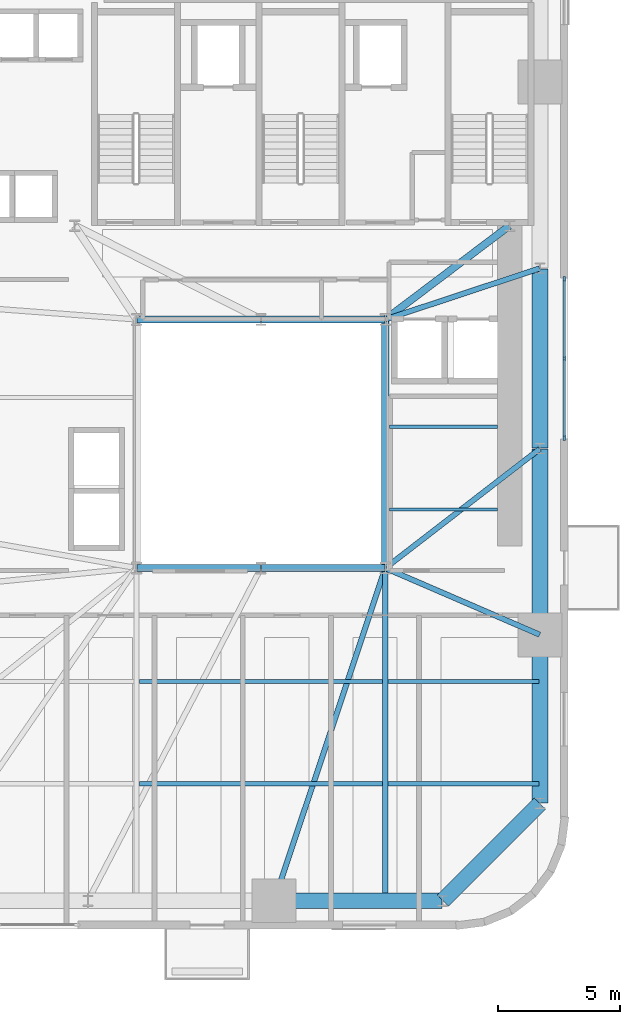
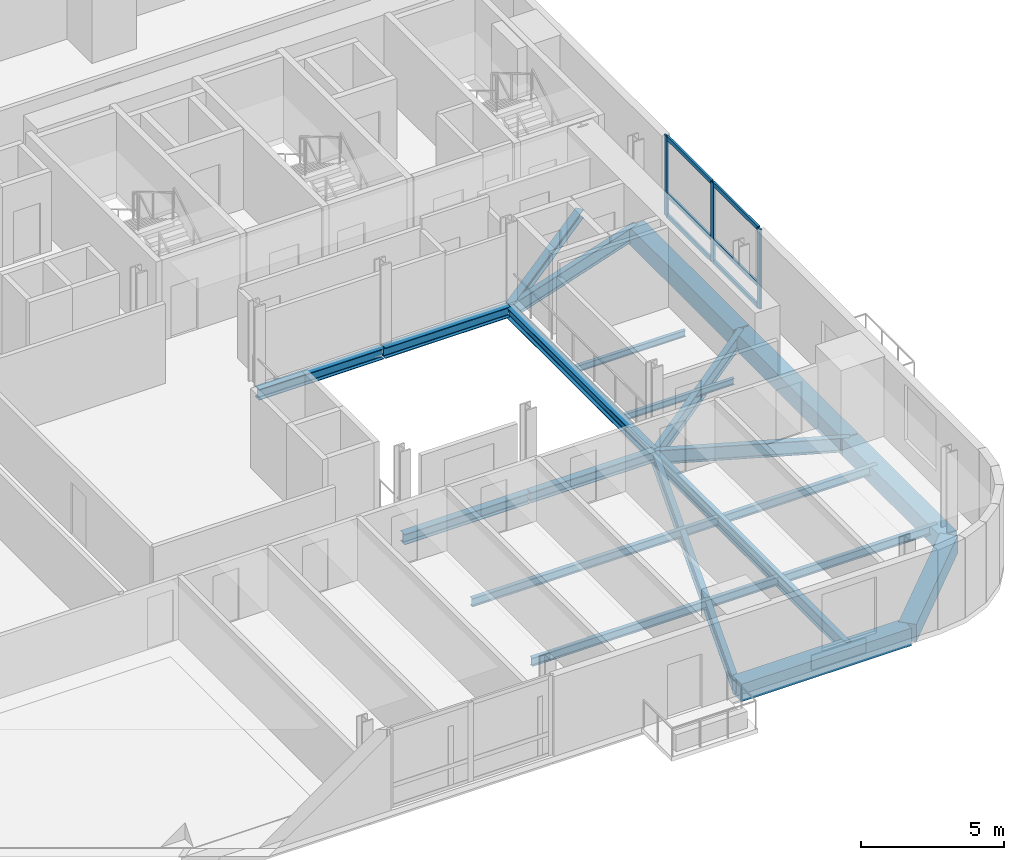
# One storey, part 3 of 12: 22 beams, 9 members, 1 element without a shape of its own.
"""IFC4 building model written with IfcOpenShell, lengths in metres."""

import ifcopenshell
import ifcopenshell.guid

model = None  # the IFC model being written
_history = None  # IfcOwnerHistory: only IFC2X3 demands one
_inside = {}  # id of a spatial element -> (the spatial element, [elements in it])
_under = {}  # id of a project, library or spatial element -> (it, [spatial elements below it])
_declared = {}  # id of a project -> (the project, [libraries it declares])
_typed = {}  # id of a type object -> (the type object, [elements of that type])
_made_of = {}  # id of a material, layer set ... -> (it, [elements and type objects made of it])


def new_model(schema):
    """Start an empty IFC model of exactly this schema.

    Asked for "IFC4X3", IfcOpenShell would pick the latest addendum, in which some entities
    have other attributes; the version numbers below select the first issue.
    IFC2X3 requires an IfcOwnerHistory on every rooted entity: one is made here for all.
    """
    global model, _history
    if schema == "IFC4X3":
        model = ifcopenshell.file(schema_version=(4, 3, 0, 0))
    else:
        model = ifcopenshell.file(schema=schema)
    _inside.clear()
    _under.clear()
    _declared.clear()
    _typed.clear()
    _made_of.clear()
    _history = None
    if model.schema == "IFC2X3":
        org = make("IfcOrganization", Name="unknown")
        user = make(
            "IfcPersonAndOrganization",
            ThePerson=make("IfcPerson", FamilyName="unknown"),
            TheOrganization=org,
        )
        app = make(
            "IfcApplication",
            ApplicationDeveloper=org,
            Version="unknown",
            ApplicationFullName="unknown",
            ApplicationIdentifier="unknown",
        )
        _history = make(
            "IfcOwnerHistory",
            OwningUser=user,
            OwningApplication=app,
            ChangeAction="ADDED",
            CreationDate=0,
        )
    return model


def make(cls, **values):
    """One entity of the class cls with the attributes given. An attribute that is None is left unset."""
    return model.create_entity(
        cls, **{name: value for name, value in values.items() if value is not None}
    )


def rooted(cls, **values):
    """An entity with a GlobalId (a new one), such as an element, a storey or a relation."""
    return make(cls, GlobalId=ifcopenshell.guid.new(), OwnerHistory=_history, **values)


def si_unit(unit_type, name, prefix=None):
    """IfcSIUnit, for example si_unit("LENGTHUNIT", "METRE", prefix="MILLI")."""
    return make("IfcSIUnit", UnitType=unit_type, Prefix=prefix, Name=name)


def assignment(units):
    """IfcUnitAssignment: the units of a project."""
    return None if units is None else make("IfcUnitAssignment", Units=units)


def point(xyz):
    """IfcCartesianPoint."""
    return None if xyz is None else make("IfcCartesianPoint", Coordinates=xyz)


def direction(xyz):
    """IfcDirection."""
    return None if xyz is None else make("IfcDirection", DirectionRatios=xyz)


def frame(location, z_axis=None, x_axis=None):
    """IfcAxis2Placement3D, a coordinate frame: its origin and axes. An axis left out is left unset."""
    return make(
        "IfcAxis2Placement3D",
        Location=point(location),
        Axis=direction(z_axis),
        RefDirection=direction(x_axis),
    )


def frame_2d(location, x_axis=None):
    """IfcAxis2Placement2D, a coordinate frame in the plane: its origin and x axis."""
    return make(
        "IfcAxis2Placement2D", Location=point(location), RefDirection=direction(x_axis)
    )


def origin():
    """The frame at (0, 0, 0) with its axes left unset."""
    return frame((0.0, 0.0, 0.0))


def origin_2d():
    """The frame at (0, 0) in the plane with its x axis left unset."""
    return frame_2d((0.0, 0.0))


def place(relative_to, where):
    """IfcLocalPlacement: puts the frame where relative to a parent placement (None: the world)."""
    return make(
        "IfcLocalPlacement", PlacementRelTo=relative_to, RelativePlacement=where
    )


def context(
    kind, dimensions, precision=None, world=None, true_north=None, identifier=None
):
    """IfcGeometricRepresentationContext, for example the 3D "Model" context."""
    return make(
        "IfcGeometricRepresentationContext",
        ContextIdentifier=identifier,
        ContextType=kind,
        CoordinateSpaceDimension=dimensions,
        Precision=precision,
        WorldCoordinateSystem=world,
        TrueNorth=true_north,
    )


def subcontext(parent, identifier, kind, view, scale=None):
    """IfcGeometricRepresentationSubContext, for example "Body" below "Model"."""
    return make(
        "IfcGeometricRepresentationSubContext",
        ContextIdentifier=identifier,
        ContextType=kind,
        ParentContext=parent,
        TargetScale=scale,
        TargetView=view,
    )


def project(units=None, contexts=None):
    """IfcProject with its units and contexts."""
    return rooted(
        "IfcProject",
        Name="project",
        RepresentationContexts=contexts,
        UnitsInContext=assignment(units),
    )


def spatial(cls, under=None, at=None, **own):
    """A site, building, storey or space (cls), placed at a placement, below another one or the project."""
    s = rooted(cls, ObjectPlacement=at, **own)
    if under is not None:
        _under.setdefault(under.id(), (under, []))[1].append(s)
    return s


def profile(cls, at=None, kind="AREA", **sizes):
    """A parametric profile (cls). Its sizes go by their IFC names, for example OverallWidth=200.0."""
    return make(cls, ProfileType=kind, Position=at, **sizes)


def rectangle(**sizes):
    """IfcRectangleProfileDef."""
    return profile("IfcRectangleProfileDef", **sizes)


def i_section(**sizes):
    """IfcIShapeProfileDef."""
    return profile("IfcIShapeProfileDef", **sizes)


def extrude(swept, where, along, depth):
    """IfcExtrudedAreaSolid: the profile swept, set in the frame where, extruded along a direction by depth."""
    return make(
        "IfcExtrudedAreaSolid",
        SweptArea=swept,
        Position=where,
        ExtrudedDirection=direction(along),
        Depth=depth,
    )


def shape(context_of_items, identifier, shape_type, items):
    """IfcShapeRepresentation: the items that make up one representation, for example the "Body"."""
    return make(
        "IfcShapeRepresentation",
        ContextOfItems=context_of_items,
        RepresentationIdentifier=identifier,
        RepresentationType=shape_type,
        Items=items,
    )


def source(mapping_origin, context_of_items, identifier, shape_type, items):
    """IfcRepresentationMap: a shape defined once, which mapped items show again and again."""
    return make(
        "IfcRepresentationMap",
        MappingOrigin=mapping_origin,
        MappedRepresentation=shape(context_of_items, identifier, shape_type, items),
    )


def transform(
    local_origin,
    x_axis=None,
    y_axis=None,
    z_axis=None,
    scale=None,
    scale2=None,
    scale3=None,
    uniform=True,
):
    """IfcCartesianTransformationOperator3D, or its non-uniform kind. x_axis, y_axis, z_axis: its Axis1, 2, 3."""
    if uniform:
        return make(
            "IfcCartesianTransformationOperator3D",
            Axis1=direction(x_axis),
            Axis2=direction(y_axis),
            LocalOrigin=point(local_origin),
            Scale=scale,
            Axis3=direction(z_axis),
        )
    return make(
        "IfcCartesianTransformationOperator3DnonUniform",
        Axis1=direction(x_axis),
        Axis2=direction(y_axis),
        LocalOrigin=point(local_origin),
        Scale=scale,
        Axis3=direction(z_axis),
        Scale2=scale2,
        Scale3=scale3,
    )


def mapped(mapping_source, mapping_target):
    """IfcMappedItem: shows the shape of a source again, moved by a transform."""
    return make(
        "IfcMappedItem", MappingSource=mapping_source, MappingTarget=mapping_target
    )


def material(Name=None, Category=None):
    """IfcMaterial."""
    return make("IfcMaterial", Name=Name, Category=Category)


def material_profile(
    of_material, cross_section, Name=None, Category=None, Priority=None
):
    """IfcMaterialProfile: a cross section and its material."""
    return make(
        "IfcMaterialProfile",
        Name=Name,
        Material=of_material,
        Profile=cross_section,
        Priority=Priority,
        Category=Category,
    )


def profile_set(profiles, Name=None, composite=None):
    """IfcMaterialProfileSet."""
    return make(
        "IfcMaterialProfileSet",
        Name=Name,
        MaterialProfiles=profiles,
        CompositeProfile=composite,
    )


def made_of(thing, what):
    """Note that an element or type object is made of a material, layer set ...; save() writes the relation."""
    if what is not None:
        _made_of.setdefault(what.id(), (what, []))[1].append(thing)
    return thing


def type_object(cls, material=None, **own):
    """A type object (cls), such as IfcWallType, which elements share."""
    return made_of(rooted(cls, **own), material)


def element(
    cls,
    number,
    at=None,
    inside=None,
    cuts=None,
    type_object=None,
    material=None,
    context=None,
    identifier="Body",
    shape_type=None,
    held_by="IfcProductDefinitionShape",
    body=None,
    shapes=None,
    **own,
):
    """One element of the class cls, such as IfcWall. Its Tag is "e" and its number.

    at: its placement. inside: the storey or other place that contains it. cuts: it is an
    opening in that element (IfcRelVoidsElement). A single representation is given by context,
    identifier, shape_type and body (its items); several are given by shapes. held_by: the class
    of the entity that holds the representations. save() writes the other relations.
    """
    e = rooted(cls, Tag="e%d" % number, ObjectPlacement=at, **own)
    if body is not None:
        shapes = [shape(context, identifier, shape_type, body)]
    if shapes is not None:
        e.Representation = make(held_by, Representations=shapes)
    if inside is not None:
        _inside.setdefault(inside.id(), (inside, []))[1].append(e)
    if cuts is not None:
        rooted(
            "IfcRelVoidsElement", RelatingBuildingElement=cuts, RelatedOpeningElement=e
        )
    if type_object is not None:
        _typed.setdefault(type_object.id(), (type_object, []))[1].append(e)
    return made_of(e, material)


def aggregate(whole, parts):
    """IfcRelAggregates: a whole, such as a stair, and the parts it consists of."""
    return rooted("IfcRelAggregates", RelatingObject=whole, RelatedObjects=parts)


def save(model, path):
    """Write the relations noted so far, then the file.

    IfcRelAggregates (storeys below a building ...), IfcRelContainedInSpatialStructure (elements
    in a storey), IfcRelDefinesByType, IfcRelAssociatesMaterial and IfcRelDeclares: one each for
    every whole, place, type object, material and project.
    """
    for whole, parts in _under.values():
        aggregate(whole, parts)
    for where, things in _inside.values():
        rooted(
            "IfcRelContainedInSpatialStructure",
            RelatedElements=things,
            RelatingStructure=where,
        )
    for kind, things in _typed.values():
        rooted("IfcRelDefinesByType", RelatedObjects=things, RelatingType=kind)
    for what, things in _made_of.values():
        rooted("IfcRelAssociatesMaterial", RelatedObjects=things, RelatingMaterial=what)
    for by, libraries in _declared.values():
        rooted("IfcRelDeclares", RelatingContext=by, RelatedDefinitions=libraries)
    model.write(path)


model = new_model("IFC4")

# Units and contexts
model_context = context("Model", 3, precision=1e-05, world=origin(), true_north=direction((0.0, 1.0)))
body_context = subcontext(model_context, "Body", "Model", "MODEL_VIEW")
ifc_project = project(units=[si_unit("LENGTHUNIT", "METRE"), si_unit("AREAUNIT", "SQUARE_METRE"), si_unit("VOLUMEUNIT", "CUBIC_METRE"), si_unit("PLANEANGLEUNIT", "RADIAN"), si_unit("MASSUNIT", "GRAM", prefix="KILO")], contexts=[model_context])

# Site, building, storey
site_placement = place(None, origin())
site = spatial("IfcSite", under=ifc_project, at=site_placement, CompositionType="ELEMENT")
building_placement = place(site_placement, origin())
building = spatial("IfcBuilding", under=site, at=building_placement, Name="Vardaveli Station Tower", CompositionType="ELEMENT")
storey_placement = place(building_placement, frame((0.0, 0.0, 60.449951171875)))
storey = spatial("IfcBuildingStorey", under=building, at=storey_placement, Name="L15", CompositionType="ELEMENT", Elevation=60.449951171875)

# Beams
ifc_material_1 = material(Name="Structural steel S355J2", Category="steel")
ifc_material_profile_1 = material_profile(ifc_material_1, i_section(OverallWidth=0.300048828125, OverallDepth=0.449951171875, WebThickness=0.013916015625, FlangeThickness=0.02587890625, FilletRadius=0.027099609375, at=origin_2d()), Name="HEB 450")
ifc_profile_set_1 = profile_set([ifc_material_profile_1], Name="Structural steel S355J2")
beam_type_1 = type_object("IfcBeamType", Name="BM-HEB450", PredefinedType="BEAM", material=ifc_profile_set_1)
shared_shape_1 = source(origin(), body_context, "Body", "SweptSolid", [
    extrude(i_section(OverallWidth=0.300048828125, OverallDepth=0.449951171875, WebThickness=0.013916015625, FlangeThickness=0.02587890625, FilletRadius=0.027099609375, at=origin_2d()), origin(), (0.0, 0.0, 1.0), 5.06005859375),
])
for number, where, z_axis, x_axis, name in (
    (1, (31.219970703125, 16.60009765625, -0.46484375), (1.0, 0.0, 0.0), (0.0, 1.0, 0.0), "ABM-L15-01"),
    (2, (36.280029296875, 26.800048828125, -0.46484375), (-1.0, 0.0, 0.0), (0.0, -1.0, 0.0), "ABM-L15-05"),
):
    element("IfcBeam", number, at=place(storey_placement, frame(where, z_axis=z_axis, x_axis=x_axis)), inside=storey, type_object=beam_type_1, Name=name, PredefinedType="BEAM", context=body_context, shape_type="MappedRepresentation", body=[
        mapped(shared_shape_1, transform((0.0, 0.0, 0.0), scale=1.0)),
    ])
shared_shape_2 = source(origin(), body_context, "Body", "SweptSolid", [
    extrude(i_section(OverallWidth=0.300048828125, OverallDepth=0.449951171875, WebThickness=0.013916015625, FlangeThickness=0.02587890625, FilletRadius=0.027099609375, at=origin_2d()), origin(), (0.0, 0.0, 1.0), 5.059814453125),
])
for number, where, z_axis, x_axis, name in (
    (3, (36.320068359375, 16.60009765625, -0.46484375), (1.0, 0.0, 0.0), (0.0, 1.0, 0.0), "ABM-L15-02"),
    (4, (41.3798828125, 26.800048828125, -0.46484375), (-1.0, 0.0, 0.0), (0.0, -1.0, 0.0), "ABM-L15-04"),
):
    element("IfcBeam", number, at=place(storey_placement, frame(where, z_axis=z_axis, x_axis=x_axis)), inside=storey, type_object=beam_type_1, Name=name, PredefinedType="BEAM", context=body_context, shape_type="MappedRepresentation", body=[
        mapped(shared_shape_2, transform((0.0, 0.0, 0.0), scale=1.0)),
    ])
shared_shape_3 = source(origin(), body_context, "Body", "SweptSolid", [
    extrude(i_section(OverallWidth=0.300048828125, OverallDepth=0.449951171875, WebThickness=0.013916015625, FlangeThickness=0.02587890625, FilletRadius=0.027099609375, at=origin_2d()), origin(), (0.0, 0.0, 1.0), 10.159912109375),
])
beam_1_placement = place(storey_placement, frame((41.39990234375, 16.6201171875, -0.46484375), z_axis=(0.0, 1.0, 0.0), x_axis=(-1.0, 0.0, 0.0)))
element("IfcBeam", 5, at=beam_1_placement, inside=storey, type_object=beam_type_1, Name="ABM-L15-03", PredefinedType="BEAM", context=body_context, shape_type="MappedRepresentation", body=[
    mapped(shared_shape_3, transform((0.0, 0.0, 0.0), scale=1.0)),
])
ifc_material_profile_2 = material_profile(ifc_material_1, i_section(OverallWidth=0.300048828125, OverallDepth=0.360107421875, WebThickness=0.012451171875, FlangeThickness=0.0224609375, FilletRadius=0.027099609375, at=origin_2d()), Name="HEB 360")
ifc_profile_set_2 = profile_set([ifc_material_profile_2], Name="Structural steel S355J2")
beam_type_2 = type_object("IfcBeamType", Name="BM-HEB360", PredefinedType="BEAM", material=ifc_profile_set_2)
shared_shape_4 = source(origin(), body_context, "Body", "SweptSolid", [
    extrude(i_section(OverallWidth=0.300048828125, OverallDepth=0.360107421875, WebThickness=0.012451171875, FlangeThickness=0.0224609375, FilletRadius=0.027099609375, at=origin_2d()), origin(), (0.0, 0.0, 1.0), 6.35009765625),
])
beam_2_placement = place(storey_placement, frame((41.416015625, 26.81201171875, -0.419921875), z_axis=(0.798118337722, 0.602500721154, 0.0), x_axis=(-0.602500721154, 0.798118337722, 0.0)))
element("IfcBeam", 6, at=beam_2_placement, inside=storey, type_object=beam_type_2, Name="CBM-L15-02", PredefinedType="BEAM", context=body_context, shape_type="MappedRepresentation", body=[
    mapped(shared_shape_4, transform((0.0, 0.0, 0.0), scale=1.0)),
])
ifc_material_2 = material(Name="Precast concrete C45/55", Category="concrete")
ifc_material_profile_3 = material_profile(ifc_material_2, rectangle(XDim=0.64990234375, YDim=0.75, at=origin_2d()), Name="LPB 650x750")
ifc_profile_set_3 = profile_set([ifc_material_profile_3], Name="Precast concrete C45/55")
beam_type_3 = type_object("IfcBeamType", Name="BM-LPB-750", PredefinedType="BEAM", material=ifc_profile_set_3)
shared_shape_5 = source(origin(), body_context, "Body", "SweptSolid", [
    extrude(rectangle(XDim=0.64990234375, YDim=0.75, at=origin_2d()), origin(), (0.0, 0.0, 1.0), 7.60009765625),
])
beam_3_placement = place(storey_placement, frame((47.75, 13.8798828125, -0.614990234375), z_axis=(0.0, 1.0, 0.0), x_axis=(-1.0, 0.0, 0.0)))
element("IfcBeam", 7, at=beam_3_placement, inside=storey, type_object=beam_type_3, Name="RBM-L15-07", PredefinedType="BEAM", context=body_context, shape_type="MappedRepresentation", body=[
    mapped(shared_shape_5, transform((0.0, 0.0, 0.0), scale=1.0)),
])
shared_shape_6 = source(origin(), body_context, "Body", "SweptSolid", [
    extrude(rectangle(XDim=0.64990234375, YDim=0.75, at=origin_2d()), origin(), (0.0, 0.0, 1.0), 7.35986328125),
])
beam_4_placement = place(storey_placement, frame((47.75, 21.52001953125, -0.614990234375), z_axis=(0.0, 1.0, 0.0), x_axis=(-1.0, 0.0, 0.0)))
element("IfcBeam", 8, at=beam_4_placement, inside=storey, type_object=beam_type_3, Name="RBM-L15-08", PredefinedType="BEAM", context=body_context, shape_type="MappedRepresentation", body=[
    mapped(shared_shape_6, transform((0.0, 0.0, 0.0), scale=1.0)),
])
shared_shape_7 = source(origin(), body_context, "Body", "SweptSolid", [
    extrude(rectangle(XDim=0.64990234375, YDim=0.75, at=origin_2d()), origin(), (0.0, 0.0, 1.0), 6.869873046875),
])
beam_5_placement = place(storey_placement, frame((36.860107421875, 2.949951171875, -0.614990234375), z_axis=(1.0, 0.0, 0.0), x_axis=(0.0, 1.0, 0.0)))
element("IfcBeam", 9, at=beam_5_placement, inside=storey, type_object=beam_type_3, Name="RBM-L15-04", PredefinedType="BEAM", context=body_context, shape_type="MappedRepresentation", body=[
    mapped(shared_shape_7, transform((0.0, 0.0, 0.0), scale=1.0)),
])
shared_shape_8 = source(origin(), body_context, "Body", "SweptSolid", [
    extrude(rectangle(XDim=0.64990234375, YDim=0.75, at=origin_2d()), origin(), (0.0, 0.0, 1.0), 5.61669921875),
])
beam_6_placement = place(storey_placement, frame((43.76416015625, 2.964111328125, -0.614990234375), z_axis=(0.707106781187, 0.707106781187, 0.0), x_axis=(-0.707106781187, 0.707106781187, 0.0)))
element("IfcBeam", 10, at=beam_6_placement, inside=storey, type_object=beam_type_3, Name="RBM-L15-05", PredefinedType="BEAM", context=body_context, shape_type="MappedRepresentation", body=[
    mapped(shared_shape_8, transform((0.0, 0.0, 0.0), scale=1.0)),
])
shared_shape_9 = source(origin(), body_context, "Body", "SweptSolid", [
    extrude(rectangle(XDim=0.64990234375, YDim=0.75, at=origin_2d()), origin(), (0.0, 0.0, 1.0), 6.8701171875),
])
beam_7_placement = place(storey_placement, frame((47.75, 6.969970703125, -0.614990234375), z_axis=(0.0, 1.0, 0.0), x_axis=(-1.0, 0.0, 0.0)))
element("IfcBeam", 11, at=beam_7_placement, inside=storey, type_object=beam_type_3, Name="RBM-L15-06", PredefinedType="BEAM", context=body_context, shape_type="MappedRepresentation", body=[
    mapped(shared_shape_9, transform((0.0, 0.0, 0.0), scale=1.0)),
])
ifc_material_profile_4 = material_profile(ifc_material_1, i_section(OverallWidth=0.219970703125, OverallDepth=0.60009765625, WebThickness=0.011962890625, FlangeThickness=0.01904296875, FilletRadius=0.02392578125, at=origin_2d()), Name="IPE 600")
ifc_profile_set_4 = profile_set([ifc_material_profile_4], Name="Structural steel S355J2")
beam_type_4 = type_object("IfcBeamType", Name="BM-IPE600", PredefinedType="BEAM", material=ifc_profile_set_4)
shared_shape_10 = source(origin(), body_context, "Body", "SweptSolid", [
    extrude(i_section(OverallWidth=0.219970703125, OverallDepth=0.60009765625, WebThickness=0.011962890625, FlangeThickness=0.01904296875, FilletRadius=0.02392578125, at=origin_2d()), origin(), (0.0, 0.0, 1.0), 14.3515625),
])
beam_8_placement = place(storey_placement, frame((36.846435546875, 2.968994140625, -0.5400390625), z_axis=(0.316840115921, 0.948478961782, 0.0), x_axis=(-0.948478961782, 0.316840115921, 0.0)))
element("IfcBeam", 12, at=beam_8_placement, inside=storey, type_object=beam_type_4, Name="GBM-L15-04", PredefinedType="BEAM", context=body_context, shape_type="MappedRepresentation", body=[
    mapped(shared_shape_10, transform((0.0, 0.0, 0.0), scale=1.0)),
])
shared_shape_11 = source(origin(), body_context, "Body", "SweptSolid", [
    extrude(i_section(OverallWidth=0.219970703125, OverallDepth=0.60009765625, WebThickness=0.011962890625, FlangeThickness=0.01904296875, FilletRadius=0.02392578125, at=origin_2d()), origin(), (0.0, 0.0, 1.0), 6.8759765625),
])
beam_9_placement = place(storey_placement, frame((47.731689453125, 13.867919921875, -0.5400390625), z_axis=(-0.918170694621, 0.396185026899, 0.0), x_axis=(-0.396185026899, -0.918170694621, 0.0)))
element("IfcBeam", 13, at=beam_9_placement, inside=storey, type_object=beam_type_4, Name="GBM-L15-05", PredefinedType="BEAM", context=body_context, shape_type="MappedRepresentation", body=[
    mapped(shared_shape_11, transform((0.0, 0.0, 0.0), scale=1.0)),
])
shared_shape_12 = source(origin(), body_context, "Body", "SweptSolid", [
    extrude(i_section(OverallWidth=0.219970703125, OverallDepth=0.60009765625, WebThickness=0.011962890625, FlangeThickness=0.01904296875, FilletRadius=0.02392578125, at=origin_2d()), origin(), (0.0, 0.0, 1.0), 7.980712890625),
])
beam_10_placement = place(storey_placement, frame((47.734130859375, 21.48779296875, -0.5400390625), z_axis=(-0.791701934907, -0.610907559509, 0.0), x_axis=(0.610907559509, -0.791701934907, 0.0)))
element("IfcBeam", 14, at=beam_10_placement, inside=storey, type_object=beam_type_4, Name="GBM-L15-06", PredefinedType="BEAM", context=body_context, shape_type="MappedRepresentation", body=[
    mapped(shared_shape_12, transform((0.0, 0.0, 0.0), scale=1.0)),
])
shared_shape_13 = source(origin(), body_context, "Body", "SweptSolid", [
    extrude(i_section(OverallWidth=0.219970703125, OverallDepth=0.60009765625, WebThickness=0.011962890625, FlangeThickness=0.01904296875, FilletRadius=0.02392578125, at=origin_2d()), origin(), (0.0, 0.0, 1.0), 6.648193359375),
])
beam_11_placement = place(storey_placement, frame((47.73095703125, 28.893798828125, -0.5400390625), z_axis=(-0.949429779906, -0.313979446824, 0.0), x_axis=(0.313979446824, -0.949429779906, 0.0)))
element("IfcBeam", 15, at=beam_11_placement, inside=storey, type_object=beam_type_4, Name="GBM-L15-07", PredefinedType="BEAM", context=body_context, shape_type="MappedRepresentation", body=[
    mapped(shared_shape_13, transform((0.0, 0.0, 0.0), scale=1.0)),
])
ifc_material_profile_5 = material_profile(ifc_material_1, i_section(OverallWidth=0.2099609375, OverallDepth=0.550048828125, WebThickness=0.010986328125, FlangeThickness=0.01708984375, FilletRadius=0.02392578125, at=origin_2d()), Name="IPE 550")
ifc_profile_set_5 = profile_set([ifc_material_profile_5], Name="Structural steel S355J2")
beam_type_5 = type_object("IfcBeamType", Name="BM-IPE550", PredefinedType="BEAM", material=ifc_profile_set_5)
shared_shape_14 = source(origin(), body_context, "Body", "SweptSolid", [
    extrude(i_section(OverallWidth=0.2099609375, OverallDepth=0.550048828125, WebThickness=0.010986328125, FlangeThickness=0.01708984375, FilletRadius=0.02392578125, at=origin_2d()), origin(), (0.0, 0.0, 1.0), 13.469970703125),
])
beam_12_placement = place(storey_placement, frame((41.39990234375, 2.989990234375, -0.514892578125), z_axis=(0.0, 1.0, 0.0), x_axis=(-1.0, 0.0, 0.0)))
element("IfcBeam", 16, at=beam_12_placement, inside=storey, type_object=beam_type_5, Name="NSM-L15-S2", PredefinedType="BEAM", context=body_context, shape_type="MappedRepresentation", body=[
    mapped(shared_shape_14, transform((0.0, 0.0, 0.0), scale=1.0)),
])
ifc_material_profile_6 = material_profile(ifc_material_1, i_section(OverallWidth=0.169921875, OverallDepth=0.360107421875, WebThickness=0.008056640625, FlangeThickness=0.0126953125, FilletRadius=0.01806640625, at=origin_2d()), Name="IPE 360")
ifc_profile_set_6 = profile_set([ifc_material_profile_6], Name="Structural steel S355J2")
beam_type_6 = type_object("IfcBeamType", Name="BM-IPE360", PredefinedType="JOIST", material=ifc_profile_set_6)
shared_shape_15 = source(origin(), body_context, "Body", "SweptSolid", [
    extrude(i_section(OverallWidth=0.169921875, OverallDepth=0.360107421875, WebThickness=0.008056640625, FlangeThickness=0.0126953125, FilletRadius=0.01806640625, at=origin_2d()), origin(), (0.0, 0.0, 1.0), 9.97607421875),
])
for number, where, z_axis, x_axis, name in (
    (17, (31.31201171875, 7.75, -0.419921875), (1.0, 0.0, 0.0), (0.0, 1.0, 0.0), "SJ-L15-S02"),
    (18, (31.31201171875, 11.949951171875, -0.419921875), (1.0, 0.0, 0.0), (0.0, 1.0, 0.0), "SJ-L15-S05"),
):
    element("IfcBeam", number, at=place(storey_placement, frame(where, z_axis=z_axis, x_axis=x_axis)), inside=storey, type_object=beam_type_6, Name=name, PredefinedType="JOIST", context=body_context, shape_type="MappedRepresentation", body=[
        mapped(shared_shape_15, transform((0.0, 0.0, 0.0), scale=1.0)),
    ])
shared_shape_16 = source(origin(), body_context, "Body", "SweptSolid", [
    extrude(i_section(OverallWidth=0.169921875, OverallDepth=0.360107421875, WebThickness=0.008056640625, FlangeThickness=0.0126953125, FilletRadius=0.01806640625, at=origin_2d()), origin(), (0.0, 0.0, 1.0), 6.197998046875),
])
for number, where, z_axis, x_axis, name in (
    (19, (41.511962890625, 7.75, -0.419921875), (1.0, 0.0, 0.0), (0.0, 1.0, 0.0), "SJ-L15-S03"),
    (20, (41.511962890625, 11.949951171875, -0.419921875), (1.0, 0.0, 0.0), (0.0, 1.0, 0.0), "SJ-L15-S06"),
):
    element("IfcBeam", number, at=place(storey_placement, frame(where, z_axis=z_axis, x_axis=x_axis)), inside=storey, type_object=beam_type_6, Name=name, PredefinedType="JOIST", context=body_context, shape_type="MappedRepresentation", body=[
        mapped(shared_shape_16, transform((0.0, 0.0, 0.0), scale=1.0)),
    ])
ifc_material_profile_7 = material_profile(ifc_material_1, i_section(OverallWidth=0.135009765625, OverallDepth=0.27001953125, WebThickness=0.006591796875, FlangeThickness=0.01025390625, FilletRadius=0.014892578125, at=origin_2d()), Name="IPE 270")
ifc_profile_set_7 = profile_set([ifc_material_profile_7], Name="Structural steel S355J2")
beam_type_7 = type_object("IfcBeamType", Name="BM-IPE270", PredefinedType="BEAM", material=ifc_profile_set_7)
shared_shape_17 = source(origin(), body_context, "Body", "SweptSolid", [
    extrude(i_section(OverallWidth=0.135009765625, OverallDepth=0.27001953125, WebThickness=0.006591796875, FlangeThickness=0.01025390625, FilletRadius=0.014892578125, at=origin_2d()), origin(), (0.0, 0.0, 1.0), 4.43017578125),
])
for number, where, z_axis, x_axis, name in (
    (21, (41.56494140625, 19.0, -0.375), (1.0, 0.0, 0.0), (0.0, 1.0, 0.0), "TJ-L15-01"),
    (22, (41.56494140625, 22.39990234375, -0.375), (1.0, 0.0, 0.0), (0.0, 1.0, 0.0), "TJ-L15-02"),
):
    element("IfcBeam", number, at=place(storey_placement, frame(where, z_axis=z_axis, x_axis=x_axis)), inside=storey, type_object=beam_type_7, Name=name, PredefinedType="BEAM", context=body_context, shape_type="MappedRepresentation", body=[
        mapped(shared_shape_17, transform((0.0, 0.0, 0.0), scale=1.0)),
    ])

# Curtain wall, members
ifc_material_3 = material(Name="Travertine stone and solar-control glass", Category="masonry")
curtain_wall_type = type_object("IfcCurtainWallType", Name="CW-SYS-2", PredefinedType="NOTDEFINED", material=ifc_material_3)
curtain_wall_placement = place(storey_placement, origin())
curtain_wall = element("IfcCurtainWall", 23, at=curtain_wall_placement, inside=storey, type_object=curtain_wall_type, Name="CW-L15-E", PredefinedType="NOTDEFINED")
ifc_material_4 = material(Name="Anodised aluminium alloy 6063-T6", Category="aluminium")
ifc_material_profile_8 = material_profile(ifc_material_4, rectangle(XDim=0.0849609375, YDim=0.179931640625, at=origin_2d()), Name="CWT 85x180")
ifc_profile_set_8 = profile_set([ifc_material_profile_8], Name="Anodised aluminium alloy 6063-T6")
member_type_1 = type_object("IfcMemberType", Name="CW-SYS-2-TRAN", PredefinedType="NOTDEFINED", material=ifc_profile_set_8)
shared_shape_18 = source(origin(), body_context, "Body", "SweptSolid", [
    extrude(rectangle(XDim=0.0849609375, YDim=0.179931640625, at=origin_2d()), origin(), (0.0, 0.0, 1.0), 3.172607421875),
])
member_1_placement = place(storey_placement, frame((48.739990234375, 25.242431640625, 0.04248046875), z_axis=(0.0, 1.0, 0.0), x_axis=(-1.0, 0.0, 0.0)))
member_1 = element("IfcMember", 24, at=member_1_placement, type_object=member_type_1, Name="CW-2 transom 2.1", ObjectType="TRANSOM", PredefinedType="USERDEFINED", context=body_context, shape_type="MappedRepresentation", body=[
    mapped(shared_shape_18, transform((0.0, 0.0, 0.0), scale=1.0)),
])
member_2_placement = place(storey_placement, frame((48.739990234375, 25.242431640625, 0.949951171875), z_axis=(0.0, 1.0, 0.0), x_axis=(-1.0, 0.0, 0.0)))
member_2 = element("IfcMember", 25, at=member_2_placement, type_object=member_type_1, Name="CW-2 transom 2.2", ObjectType="TRANSOM", PredefinedType="USERDEFINED", context=body_context, shape_type="MappedRepresentation", body=[
    mapped(shared_shape_18, transform((0.0, 0.0, 0.0), scale=1.0)),
])
member_3_placement = place(storey_placement, frame((48.739990234375, 25.242431640625, 3.367431640625), z_axis=(0.0, 1.0, 0.0), x_axis=(-1.0, 0.0, 0.0)))
member_3 = element("IfcMember", 26, at=member_3_placement, type_object=member_type_1, Name="CW-2 transom 2.3", ObjectType="TRANSOM", PredefinedType="USERDEFINED", context=body_context, shape_type="MappedRepresentation", body=[
    mapped(shared_shape_18, transform((0.0, 0.0, 0.0), scale=1.0)),
])
shared_shape_19 = source(origin(), body_context, "Body", "SweptSolid", [
    extrude(rectangle(XDim=0.0849609375, YDim=0.179931640625, at=origin_2d()), origin(), (0.0, 0.0, 1.0), 3.17236328125),
])
member_4_placement = place(storey_placement, frame((48.739990234375, 21.985107421875, 0.04248046875), z_axis=(0.0, 1.0, 0.0), x_axis=(-1.0, 0.0, 0.0)))
member_4 = element("IfcMember", 27, at=member_4_placement, type_object=member_type_1, Name="CW-2 transom 1.1", ObjectType="TRANSOM", PredefinedType="USERDEFINED", context=body_context, shape_type="MappedRepresentation", body=[
    mapped(shared_shape_19, transform((0.0, 0.0, 0.0), scale=1.0)),
])
member_5_placement = place(storey_placement, frame((48.739990234375, 21.985107421875, 0.949951171875), z_axis=(0.0, 1.0, 0.0), x_axis=(-1.0, 0.0, 0.0)))
member_5 = element("IfcMember", 28, at=member_5_placement, type_object=member_type_1, Name="CW-2 transom 1.2", ObjectType="TRANSOM", PredefinedType="USERDEFINED", context=body_context, shape_type="MappedRepresentation", body=[
    mapped(shared_shape_19, transform((0.0, 0.0, 0.0), scale=1.0)),
])
member_6_placement = place(storey_placement, frame((48.739990234375, 21.985107421875, 3.367431640625), z_axis=(0.0, 1.0, 0.0), x_axis=(-1.0, 0.0, 0.0)))
member_6 = element("IfcMember", 29, at=member_6_placement, type_object=member_type_1, Name="CW-2 transom 1.3", ObjectType="TRANSOM", PredefinedType="USERDEFINED", context=body_context, shape_type="MappedRepresentation", body=[
    mapped(shared_shape_19, transform((0.0, 0.0, 0.0), scale=1.0)),
])
ifc_material_profile_9 = material_profile(ifc_material_4, rectangle(XDim=0.0849609375, YDim=0.219970703125, at=origin_2d()), Name="CWM 85x220")
ifc_profile_set_9 = profile_set([ifc_material_profile_9], Name="Anodised aluminium alloy 6063-T6")
member_type_2 = type_object("IfcMemberType", Name="CW-SYS-2-MULL", PredefinedType="MULLION", material=ifc_profile_set_9)
shared_shape_20 = source(origin(), body_context, "Body", "SweptSolid", [
    extrude(rectangle(XDim=0.0849609375, YDim=0.219970703125, at=origin_2d()), origin(), (0.0, 0.0, 1.0), 3.41015625),
])
member_7_placement = place(storey_placement, frame((48.739990234375, 21.9423828125, 0.0), z_axis=(0.0, 0.0, 1.0), x_axis=(-1.0, 0.0, 0.0)))
member_7 = element("IfcMember", 30, at=member_7_placement, type_object=member_type_2, Name="CW-2 mullion 1", PredefinedType="MULLION", context=body_context, shape_type="MappedRepresentation", body=[
    mapped(shared_shape_20, transform((0.0, 0.0, 0.0), scale=1.0)),
])
member_8_placement = place(storey_placement, frame((48.739990234375, 25.199951171875, 0.0), z_axis=(0.0, 0.0, 1.0), x_axis=(-1.0, 0.0, 0.0)))
member_8 = element("IfcMember", 31, at=member_8_placement, type_object=member_type_2, Name="CW-2 mullion 2", PredefinedType="MULLION", context=body_context, shape_type="MappedRepresentation", body=[
    mapped(shared_shape_20, transform((0.0, 0.0, 0.0), scale=1.0)),
])
member_9_placement = place(storey_placement, frame((48.739990234375, 28.45751953125, 0.0), z_axis=(0.0, 0.0, 1.0), x_axis=(-1.0, 0.0, 0.0)))
member_9 = element("IfcMember", 32, at=member_9_placement, type_object=member_type_2, Name="CW-2 mullion 3", PredefinedType="MULLION", context=body_context, shape_type="MappedRepresentation", body=[
    mapped(shared_shape_20, transform((0.0, 0.0, 0.0), scale=1.0)),
])
aggregate(curtain_wall, [member_7, member_8, member_9, member_4, member_5, member_6, member_1, member_2, member_3])

save(model, "model.ifc")
